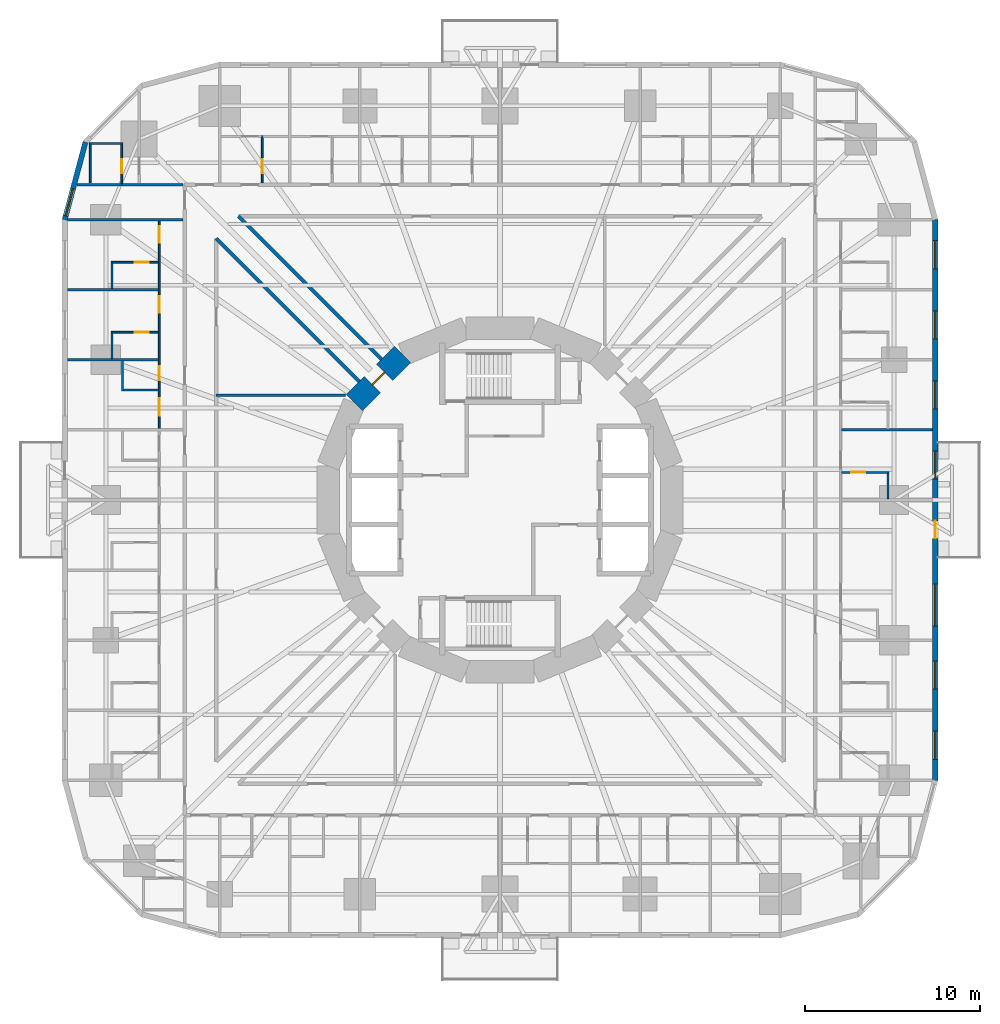
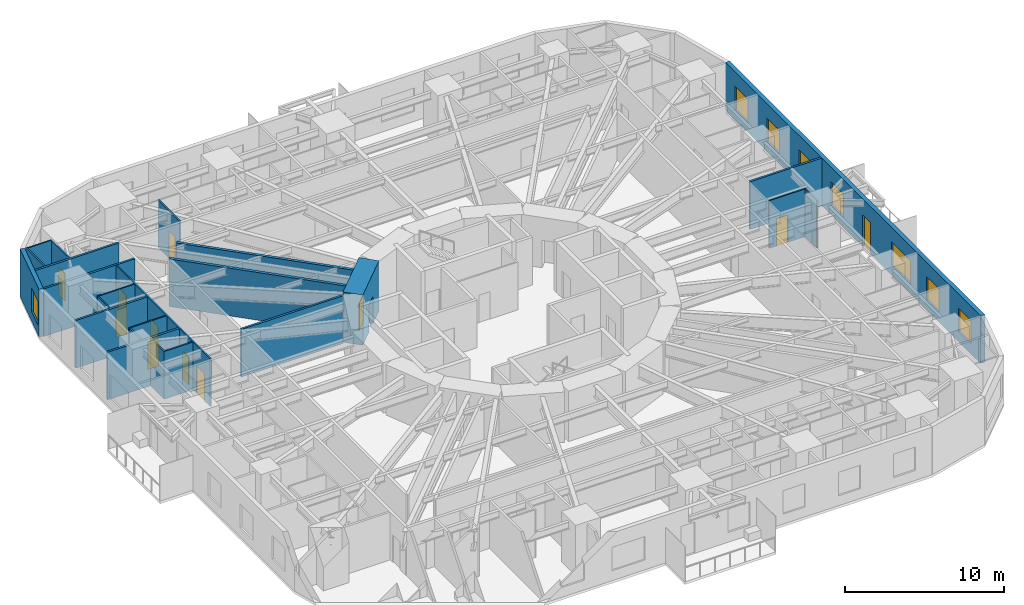
# One storey, part 9 of 14: 24 walls, 11 doors, 8 windows, 19 openings.
"""IFC4 building model written with IfcOpenShell, lengths in metres."""

from ifc_helpers import new_model, si_unit, direction, frame, frame_2d, origin, place, context, subcontext, project, spatial, rectangle, extrude, material, layer, layer_set, type_object, element, fill, save


model = new_model("IFC4")

# Units and contexts
model_context = context("Model", 3, precision=1e-05, world=origin(), true_north=direction((0.0, 1.0)))
body_context = subcontext(model_context, "Body", "Model", "MODEL_VIEW")
ifc_project = project(units=[si_unit("LENGTHUNIT", "METRE"), si_unit("AREAUNIT", "SQUARE_METRE"), si_unit("VOLUMEUNIT", "CUBIC_METRE"), si_unit("PLANEANGLEUNIT", "RADIAN"), si_unit("MASSUNIT", "GRAM", prefix="KILO")], contexts=[model_context])

# Site, building, storey
site_placement = place(None, origin())
site = spatial("IfcSite", under=ifc_project, at=site_placement, CompositionType="ELEMENT")
building_placement = place(site_placement, origin())
building = spatial("IfcBuilding", under=site, at=building_placement, Name="Nakasero Lantern House", CompositionType="ELEMENT")
storey_placement = place(building_placement, frame((0.0, 0.0, 19.85009765625)))
storey = spatial("IfcBuildingStorey", under=building, at=storey_placement, Name="L04", CompositionType="ELEMENT", Elevation=19.85009765625)

# Wall, openings, doors
ifc_material_1 = material(Name="Blockwork", Category="masonry")
ifc_layer_1 = layer(ifc_material_1, 0.10009765625)
ifc_layer_set_1 = layer_set([ifc_layer_1], Name="Cluster hall wall 100")
wall_type_1 = type_object("IfcWallType", Name="Cluster hall wall 100", PredefinedType="PARTITIONING", material=ifc_layer_set_1)
wall_1_placement = place(storey_placement, frame((-19.449951171875, 15.925048828125, 0.0), z_axis=(0.0, 0.0, 1.0), x_axis=(0.0, -1.0, 0.0)))
wall_1 = element("IfcWall", 1, at=wall_1_placement, inside=storey, type_object=wall_type_1, Name="Cluster hall wall L04 HW2-0", PredefinedType="PARTITIONING", context=body_context, shape_type="SweptSolid", body=[
    extrude(rectangle(XDim=11.85009765625, YDim=0.10009765625, at=frame_2d((5.925048828125, 0.0))), origin(), (0.0, 0.0, 1.0), 3.64990234375),
])
opening_1_placement = place(wall_1_placement, frame((10.125, 0.0, 0.0)))
opening_1 = element("IfcOpeningElement", 2, at=opening_1_placement, cuts=wall_1, Name="Opening D03", PredefinedType="OPENING", context=body_context, shape_type="SweptSolid", body=[
    extrude(rectangle(XDim=1.0, YDim=2.10009765625, at=frame_2d((0.5, 1.050048828125))), frame((0.0, 0.070068359375, 0.0), z_axis=(0.0, -1.0, 0.0), x_axis=(1.0, 0.0, 0.0)), (0.0, 0.0, 1.0), 0.14013671875),
])
opening_2_placement = place(wall_1_placement, frame((8.300048828125, 0.0, 0.0)))
opening_2 = element("IfcOpeningElement", 3, at=opening_2_placement, cuts=wall_1, Name="Opening D02", PredefinedType="OPENING", context=body_context, shape_type="SweptSolid", body=[
    extrude(rectangle(XDim=0.800048828125, YDim=2.10009765625, at=frame_2d((0.39990234375, 1.050048828125))), frame((0.0, 0.070068359375, 0.0), z_axis=(0.0, -1.0, 0.0), x_axis=(1.0, 0.0, 0.0)), (0.0, 0.0, 1.0), 0.14013671875),
])
opening_3_placement = place(wall_1_placement, frame((0.300048828125, 0.0, 0.0)))
opening_3 = element("IfcOpeningElement", 4, at=opening_3_placement, cuts=wall_1, Name="Opening D01", PredefinedType="OPENING", context=body_context, shape_type="SweptSolid", body=[
    extrude(rectangle(XDim=0.949951171875, YDim=2.10009765625, at=frame_2d((0.47509765625, 1.050048828125))), frame((0.0, 0.070068359375, 0.0), z_axis=(0.0, -1.0, 0.0), x_axis=(1.0, 0.0, 0.0)), (0.0, 0.0, 1.0), 0.14013671875),
])
opening_4_placement = place(wall_1_placement, frame((4.300048828125, 0.0, 0.0)))
opening_4 = element("IfcOpeningElement", 5, at=opening_4_placement, cuts=wall_1, Name="Opening D01", PredefinedType="OPENING", context=body_context, shape_type="SweptSolid", body=[
    extrude(rectangle(XDim=0.949951171875, YDim=2.10009765625, at=frame_2d((0.47509765625, 1.050048828125))), frame((0.0, 0.070068359375, 0.0), z_axis=(0.0, -1.0, 0.0), x_axis=(1.0, 0.0, 0.0)), (0.0, 0.0, 1.0), 0.14013671875),
])
ifc_material_2 = material(Name="Timber C24", Category="wood")
door_type_1 = type_object("IfcDoorType", Name="Bedroom door FD30S 950", OperationType="SINGLE_SWING_LEFT", PredefinedType="DOOR", material=ifc_material_2)
door_1_placement = place(opening_3_placement, origin())
door_1 = element("IfcDoor", 6, at=door_1_placement, inside=storey, type_object=door_type_1, Name="Door L04 D2-01", OperationType="SINGLE_SWING_LEFT", OverallHeight=2.10009765625, OverallWidth=0.949951171875, PredefinedType="DOOR", context=body_context, shape_type="SweptSolid", body=[
    extrude(rectangle(XDim=0.949951171875, YDim=2.10009765625, at=frame_2d((0.47509765625, 1.050048828125))), frame((0.0, 0.02490234375, 0.0), z_axis=(0.0, -1.0, 0.0), x_axis=(1.0, 0.0, 0.0)), (0.0, 0.0, 1.0), 0.050048828125),
])
fill(opening_3, door_1)
door_2_placement = place(opening_4_placement, origin())
door_2 = element("IfcDoor", 7, at=door_2_placement, inside=storey, type_object=door_type_1, Name="Door L04 D2-02", OperationType="SINGLE_SWING_LEFT", OverallHeight=2.10009765625, OverallWidth=0.949951171875, PredefinedType="DOOR", context=body_context, shape_type="SweptSolid", body=[
    extrude(rectangle(XDim=0.949951171875, YDim=2.10009765625, at=frame_2d((0.47509765625, 1.050048828125))), frame((0.0, 0.02490234375, 0.0), z_axis=(0.0, -1.0, 0.0), x_axis=(1.0, 0.0, 0.0)), (0.0, 0.0, 1.0), 0.050048828125),
])
fill(opening_4, door_2)
ifc_material_3 = material(Name="Timber C24", Category="wood")
door_type_2 = type_object("IfcDoorType", Name="En-suite door 800", OperationType="SINGLE_SWING_RIGHT", PredefinedType="DOOR", material=ifc_material_3)
door_3_placement = place(opening_2_placement, origin())
door_3 = element("IfcDoor", 8, at=door_3_placement, inside=storey, type_object=door_type_2, Name="Door L04 DSH2-0", OperationType="SINGLE_SWING_RIGHT", OverallHeight=2.10009765625, OverallWidth=0.800048828125, PredefinedType="DOOR", context=body_context, shape_type="SweptSolid", body=[
    extrude(rectangle(XDim=0.800048828125, YDim=2.10009765625, at=frame_2d((0.39990234375, 1.050048828125))), frame((0.0, 0.02490234375, 0.0), z_axis=(0.0, -1.0, 0.0), x_axis=(1.0, 0.0, 0.0)), (0.0, 0.0, 1.0), 0.050048828125),
])
fill(opening_2, door_3)
ifc_material_4 = material(Name="Timber C24", Category="wood")
door_type_3 = type_object("IfcDoorType", Name="Lounge door FD30S 1000", OperationType="SINGLE_SWING_LEFT", PredefinedType="DOOR", material=ifc_material_4)
door_4_placement = place(opening_1_placement, origin())
door_4 = element("IfcDoor", 9, at=door_4_placement, inside=storey, type_object=door_type_3, Name="Door L04 DH2-0", OperationType="SINGLE_SWING_RIGHT", OverallHeight=2.10009765625, OverallWidth=1.0, PredefinedType="DOOR", context=body_context, shape_type="SweptSolid", body=[
    extrude(rectangle(XDim=1.0, YDim=2.10009765625, at=frame_2d((0.5, 1.050048828125))), frame((0.0, 0.02490234375, 0.0), z_axis=(0.0, -1.0, 0.0), x_axis=(1.0, 0.0, 0.0)), (0.0, 0.0, 1.0), 0.050048828125),
])
fill(opening_1, door_4)

# Wall, opening, door
ifc_material_5 = material(Name="Concrete C50/60", Category="concrete")
ifc_layer_2 = layer(ifc_material_5, 1.300048828125)
ifc_layer_set_2 = layer_set([ifc_layer_2], Name="Core wall 1300")
wall_type_2 = type_object("IfcWallType", Name="Core wall 1300", PredefinedType="SHEAR", material=ifc_layer_set_2)
wall_2_placement = place(storey_placement, frame((-5.5556640625, 8.314697265625, 0.0), z_axis=(0.0, 0.0, 1.0), x_axis=(-0.707106781187, -0.707106781187, 0.0)))
wall_2 = element("IfcWall", 10, at=wall_2_placement, inside=storey, type_object=wall_type_2, Name="Core wall L04 facet 6", PredefinedType="SHEAR", context=body_context, shape_type="SweptSolid", body=[
    extrude(rectangle(XDim=3.90185546875, YDim=1.300048828125, at=frame_2d((1.950927734375, 0.0))), origin(), (0.0, 0.0, 1.0), 3.849853515625),
])
opening_5_placement = place(wall_2_placement, frame((1.450927734375, 0.0, 0.0)))
opening_5 = element("IfcOpeningElement", 11, at=opening_5_placement, cuts=wall_2, Name="Opening D05", PredefinedType="OPENING", context=body_context, shape_type="SweptSolid", body=[
    extrude(rectangle(XDim=1.0, YDim=2.10009765625, at=frame_2d((0.5, 1.050048828125))), frame((0.0, 0.669921875, 0.0), z_axis=(0.0, -1.0, 0.0), x_axis=(1.0, 0.0, 0.0)), (0.0, 0.0, 1.0), 1.340087890625),
])
ifc_material_6 = material(Name="Timber C24", Category="wood")
door_type_4 = type_object("IfcDoorType", Name="Core door FD60S 1000", OperationType="SINGLE_SWING_LEFT", PredefinedType="DOOR", material=ifc_material_6)
door_5_placement = place(opening_5_placement, origin())
door_5 = element("IfcDoor", 12, at=door_5_placement, inside=storey, type_object=door_type_4, Name="Door L04 D-CORE06", OperationType="SINGLE_SWING_LEFT", OverallHeight=2.10009765625, OverallWidth=1.0, PredefinedType="DOOR", context=body_context, shape_type="SweptSolid", body=[
    extrude(rectangle(XDim=1.0, YDim=2.10009765625, at=frame_2d((0.5, 1.050048828125))), frame((0.0, 0.02490234375, 0.0), z_axis=(0.0, -1.0, 0.0), x_axis=(1.0, 0.0, 0.0)), (0.0, 0.0, 1.0), 0.050048828125),
])
fill(opening_5, door_5)

# Walls
ifc_material_7 = material(Name="Blockwork", Category="masonry")
ifc_layer_3 = layer(ifc_material_7, 0.199951171875)
ifc_layer_set_3 = layer_set([ifc_layer_3], Name="Corridor wall 200")
wall_type_3 = type_object("IfcWallType", Name="Corridor wall 200", PredefinedType="PARTITIONING", material=ifc_layer_set_3)
for number, where, z_axis, x_axis, name in (
    (13, (-8.03125, 6.758544921875, 0.0), (0.0, 0.0, 1.0), (-0.707106781187, 0.707106781187, 0.0), "Corridor wall L04 PS06a"),
    (14, (-6.758544921875, 8.03125, 0.0), (0.0, 0.0, 1.0), (-0.707106781187, 0.707106781187, 0.0), "Corridor wall L04 PS06b"),
):
    element("IfcWall", number, at=place(storey_placement, frame(where, z_axis=z_axis, x_axis=x_axis)), inside=storey, type_object=wall_type_3, Name=name, PredefinedType="PARTITIONING", context=body_context, shape_type="SweptSolid", body=[
        extrude(rectangle(XDim=11.55224609375, YDim=0.199951171875, at=frame_2d((5.776123046875, 0.0))), origin(), (0.0, 0.0, 1.0), 3.64990234375),
    ])

# Wall, opening, door
ifc_material_8 = material(Name="Blockwork", Category="masonry")
ifc_layer_4 = layer(ifc_material_8, 0.10009765625)
ifc_layer_set_4 = layer_set([ifc_layer_4], Name="En-suite wall 100")
wall_type_4 = type_object("IfcWallType", Name="En-suite wall 100", PredefinedType="PARTITIONING", material=ifc_layer_set_4)
wall_3_placement = place(storey_placement, frame((19.5, 1.574951171875, 0.0), z_axis=(0.0, 0.0, 1.0), x_axis=(1.0, 0.0, 0.0)))
wall_3 = element("IfcWall", 15, at=wall_3_placement, inside=storey, type_object=wall_type_4, Name="En-suite wall L04 ES0-05", PredefinedType="PARTITIONING", context=body_context, shape_type="SweptSolid", body=[
    extrude(rectangle(XDim=2.699951171875, YDim=0.10009765625, at=frame_2d((1.35009765625, 0.0))), origin(), (0.0, 0.0, 1.0), 3.64990234375),
])
opening_6_placement = place(wall_3_placement, frame((0.550048828125, 0.0, 0.0)))
opening_6 = element("IfcOpeningElement", 16, at=opening_6_placement, cuts=wall_3, Name="Opening D02", PredefinedType="OPENING", context=body_context, shape_type="SweptSolid", body=[
    extrude(rectangle(XDim=0.800048828125, YDim=2.10009765625, at=frame_2d((0.39990234375, 1.050048828125))), frame((0.0, 0.070068359375, 0.0), z_axis=(0.0, -1.0, 0.0), x_axis=(1.0, 0.0, 0.0)), (0.0, 0.0, 1.0), 0.14013671875),
])
door_6_placement = place(opening_6_placement, origin())
door_6 = element("IfcDoor", 17, at=door_6_placement, inside=storey, type_object=door_type_2, Name="Door L04 DE0-05", OperationType="SINGLE_SWING_LEFT", OverallHeight=2.10009765625, OverallWidth=0.800048828125, PredefinedType="DOOR", context=body_context, shape_type="SweptSolid", body=[
    extrude(rectangle(XDim=0.800048828125, YDim=2.10009765625, at=frame_2d((0.39990234375, 1.050048828125))), frame((0.0, 0.02490234375, 0.0), z_axis=(0.0, -1.0, 0.0), x_axis=(1.0, 0.0, 0.0)), (0.0, 0.0, 1.0), 0.050048828125),
])
fill(opening_6, door_6)

# Wall
wall_4_placement = place(storey_placement, frame((22.14990234375, 0.074951171875, 0.0), z_axis=(0.0, 0.0, 1.0), x_axis=(0.0, 1.0, 0.0)))
element("IfcWall", 18, at=wall_4_placement, inside=storey, type_object=wall_type_4, Name="En-suite wall L04 EE0-05", PredefinedType="PARTITIONING", context=body_context, shape_type="SweptSolid", body=[
    extrude(rectangle(XDim=1.449951171875, YDim=0.10009765625, at=frame_2d((0.72509765625, 0.0))), origin(), (0.0, 0.0, 1.0), 3.64990234375),
])

# Wall, opening, door
wall_5_placement = place(storey_placement, frame((-13.574951171875, 18.10009765625, 0.0), z_axis=(0.0, 0.0, 1.0), x_axis=(0.0, 1.0, 0.0)))
wall_5 = element("IfcWall", 19, at=wall_5_placement, inside=storey, type_object=wall_type_4, Name="En-suite wall L04 ES1-08", PredefinedType="PARTITIONING", context=body_context, shape_type="SweptSolid", body=[
    extrude(rectangle(XDim=2.699951171875, YDim=0.10009765625, at=frame_2d((1.35009765625, 0.0))), origin(), (0.0, 0.0, 1.0), 3.64990234375),
])
opening_7_placement = place(wall_5_placement, frame((0.550048828125, 0.0, 0.0)))
opening_7 = element("IfcOpeningElement", 20, at=opening_7_placement, cuts=wall_5, Name="Opening D02", PredefinedType="OPENING", context=body_context, shape_type="SweptSolid", body=[
    extrude(rectangle(XDim=0.800048828125, YDim=2.10009765625, at=frame_2d((0.39990234375, 1.050048828125))), frame((0.0, 0.070068359375, 0.0), z_axis=(0.0, -1.0, 0.0), x_axis=(1.0, 0.0, 0.0)), (0.0, 0.0, 1.0), 0.14013671875),
])
door_7_placement = place(opening_7_placement, origin())
door_7 = element("IfcDoor", 21, at=door_7_placement, inside=storey, type_object=door_type_2, Name="Door L04 DE1-08", OperationType="SINGLE_SWING_LEFT", OverallHeight=2.10009765625, OverallWidth=0.800048828125, PredefinedType="DOOR", context=body_context, shape_type="SweptSolid", body=[
    extrude(rectangle(XDim=0.800048828125, YDim=2.10009765625, at=frame_2d((0.39990234375, 1.050048828125))), frame((0.0, 0.02490234375, 0.0), z_axis=(0.0, -1.0, 0.0), x_axis=(1.0, 0.0, 0.0)), (0.0, 0.0, 1.0), 0.050048828125),
])
fill(opening_7, door_7)

wall_6_placement = place(storey_placement, frame((-21.59619140625, 18.06494140625, 0.0), z_axis=(0.0, 0.0, 1.0), x_axis=(0.0, 1.0, 0.0)))
wall_6 = element("IfcWall", 22, at=wall_6_placement, inside=storey, type_object=wall_type_4, Name="En-suite wall L04 ES1-09", PredefinedType="PARTITIONING", context=body_context, shape_type="SweptSolid", body=[
    extrude(rectangle(XDim=2.3349609375, YDim=0.10009765625, at=frame_2d((1.16748046875, 0.0))), origin(), (0.0, 0.0, 1.0), 3.64990234375),
])
opening_8_placement = place(wall_6_placement, frame((0.5849609375, 0.0, 0.0)))
opening_8 = element("IfcOpeningElement", 23, at=opening_8_placement, cuts=wall_6, Name="Opening D02", PredefinedType="OPENING", context=body_context, shape_type="SweptSolid", body=[
    extrude(rectangle(XDim=0.800048828125, YDim=2.10009765625, at=frame_2d((0.39990234375, 1.050048828125))), frame((0.0, 0.070068359375, 0.0), z_axis=(0.0, -1.0, 0.0), x_axis=(1.0, 0.0, 0.0)), (0.0, 0.0, 1.0), 0.14013671875),
])
door_8_placement = place(opening_8_placement, origin())
door_8 = element("IfcDoor", 24, at=door_8_placement, inside=storey, type_object=door_type_2, Name="Door L04 DE1-09", OperationType="SINGLE_SWING_LEFT", OverallHeight=2.10009765625, OverallWidth=0.800048828125, PredefinedType="DOOR", context=body_context, shape_type="SweptSolid", body=[
    extrude(rectangle(XDim=0.800048828125, YDim=2.10009765625, at=frame_2d((0.39990234375, 1.050048828125))), frame((0.0, 0.02490234375, 0.0), z_axis=(0.0, -1.0, 0.0), x_axis=(1.0, 0.0, 0.0)), (0.0, 0.0, 1.0), 0.050048828125),
])
fill(opening_8, door_8)

# Walls
wall_7_placement = place(storey_placement, frame((-21.646240234375, 20.35009765625, 0.0), z_axis=(0.0, 0.0, 1.0), x_axis=(-1.0, 0.0, 0.0)))
element("IfcWall", 25, at=wall_7_placement, inside=storey, type_object=wall_type_4, Name="En-suite wall L04 EE1-09", PredefinedType="PARTITIONING", context=body_context, shape_type="SweptSolid", body=[
    extrude(rectangle(XDim=1.699951171875, YDim=0.10009765625, at=frame_2d((0.85009765625, 0.0))), origin(), (0.0, 0.0, 1.0), 3.64990234375),
])
wall_8_placement = place(storey_placement, frame((-23.396240234375, 18.10009765625, 0.0), z_axis=(0.0, 0.0, 1.0), x_axis=(0.0, 1.0, 0.0)))
element("IfcWall", 26, at=wall_8_placement, inside=storey, type_object=wall_type_4, Name="En-suite wall L04 EV1-09", PredefinedType="PARTITIONING", context=body_context, shape_type="SweptSolid", body=[
    extrude(rectangle(XDim=2.2998046875, YDim=0.10009765625, at=frame_2d((1.14990234375, 0.0))), origin(), (0.0, 0.0, 1.0), 3.64990234375),
])
wall_9_placement = place(storey_placement, frame((-19.5, 6.27490234375, 0.0), z_axis=(0.0, 0.0, 1.0), x_axis=(-1.0, 0.0, 0.0)))
element("IfcWall", 27, at=wall_9_placement, inside=storey, type_object=wall_type_4, Name="En-suite wall L04 SS2-0", PredefinedType="PARTITIONING", context=body_context, shape_type="SweptSolid", body=[
    extrude(rectangle(XDim=2.10009765625, YDim=0.10009765625, at=frame_2d((1.050048828125, 0.0))), origin(), (0.0, 0.0, 1.0), 3.64990234375),
])
wall_10_placement = place(storey_placement, frame((-21.550048828125, 7.925048828125, 0.0), z_axis=(0.0, 0.0, 1.0), x_axis=(0.0, -1.0, 0.0)))
element("IfcWall", 28, at=wall_10_placement, inside=storey, type_object=wall_type_4, Name="En-suite wall L04 SE2-0", PredefinedType="PARTITIONING", context=body_context, shape_type="SweptSolid", body=[
    extrude(rectangle(XDim=1.699951171875, YDim=0.10009765625, at=frame_2d((0.85009765625, 0.0))), origin(), (0.0, 0.0, 1.0), 3.64990234375),
])

# Wall, opening, door
wall_11_placement = place(storey_placement, frame((-19.5, 13.574951171875, 0.0), z_axis=(0.0, 0.0, 1.0), x_axis=(-1.0, 0.0, 0.0)))
wall_11 = element("IfcWall", 29, at=wall_11_placement, inside=storey, type_object=wall_type_4, Name="En-suite wall L04 ES2-01", PredefinedType="PARTITIONING", context=body_context, shape_type="SweptSolid", body=[
    extrude(rectangle(XDim=2.699951171875, YDim=0.10009765625, at=frame_2d((1.35009765625, 0.0))), origin(), (0.0, 0.0, 1.0), 3.64990234375),
])
opening_9_placement = place(wall_11_placement, frame((0.550048828125, 0.0, 0.0)))
opening_9 = element("IfcOpeningElement", 30, at=opening_9_placement, cuts=wall_11, Name="Opening D02", PredefinedType="OPENING", context=body_context, shape_type="SweptSolid", body=[
    extrude(rectangle(XDim=0.800048828125, YDim=2.10009765625, at=frame_2d((0.39990234375, 1.050048828125))), frame((0.0, 0.070068359375, 0.0), z_axis=(0.0, -1.0, 0.0), x_axis=(1.0, 0.0, 0.0)), (0.0, 0.0, 1.0), 0.14013671875),
])
door_9_placement = place(opening_9_placement, origin())
door_9 = element("IfcDoor", 31, at=door_9_placement, inside=storey, type_object=door_type_2, Name="Door L04 DE2-01", OperationType="SINGLE_SWING_LEFT", OverallHeight=2.10009765625, OverallWidth=0.800048828125, PredefinedType="DOOR", context=body_context, shape_type="SweptSolid", body=[
    extrude(rectangle(XDim=0.800048828125, YDim=2.10009765625, at=frame_2d((0.39990234375, 1.050048828125))), frame((0.0, 0.02490234375, 0.0), z_axis=(0.0, -1.0, 0.0), x_axis=(1.0, 0.0, 0.0)), (0.0, 0.0, 1.0), 0.050048828125),
])
fill(opening_9, door_9)

# Wall
wall_12_placement = place(storey_placement, frame((-22.14990234375, 13.52490234375, 0.0), z_axis=(0.0, 0.0, 1.0), x_axis=(0.0, -1.0, 0.0)))
element("IfcWall", 32, at=wall_12_placement, inside=storey, type_object=wall_type_4, Name="En-suite wall L04 EE2-01", PredefinedType="PARTITIONING", context=body_context, shape_type="SweptSolid", body=[
    extrude(rectangle(XDim=1.449951171875, YDim=0.10009765625, at=frame_2d((0.72509765625, 0.0))), origin(), (0.0, 0.0, 1.0), 3.64990234375),
])

# Wall, opening, door
wall_13_placement = place(storey_placement, frame((-19.5, 9.574951171875, 0.0), z_axis=(0.0, 0.0, 1.0), x_axis=(-1.0, 0.0, 0.0)))
wall_13 = element("IfcWall", 33, at=wall_13_placement, inside=storey, type_object=wall_type_4, Name="En-suite wall L04 ES2-02", PredefinedType="PARTITIONING", context=body_context, shape_type="SweptSolid", body=[
    extrude(rectangle(XDim=2.699951171875, YDim=0.10009765625, at=frame_2d((1.35009765625, 0.0))), origin(), (0.0, 0.0, 1.0), 3.64990234375),
])
opening_10_placement = place(wall_13_placement, frame((0.550048828125, 0.0, 0.0)))
opening_10 = element("IfcOpeningElement", 34, at=opening_10_placement, cuts=wall_13, Name="Opening D02", PredefinedType="OPENING", context=body_context, shape_type="SweptSolid", body=[
    extrude(rectangle(XDim=0.800048828125, YDim=2.10009765625, at=frame_2d((0.39990234375, 1.050048828125))), frame((0.0, 0.070068359375, 0.0), z_axis=(0.0, -1.0, 0.0), x_axis=(1.0, 0.0, 0.0)), (0.0, 0.0, 1.0), 0.14013671875),
])
door_10_placement = place(opening_10_placement, origin())
door_10 = element("IfcDoor", 35, at=door_10_placement, inside=storey, type_object=door_type_2, Name="Door L04 DE2-02", OperationType="SINGLE_SWING_LEFT", OverallHeight=2.10009765625, OverallWidth=0.800048828125, PredefinedType="DOOR", context=body_context, shape_type="SweptSolid", body=[
    extrude(rectangle(XDim=0.800048828125, YDim=2.10009765625, at=frame_2d((0.39990234375, 1.050048828125))), frame((0.0, 0.02490234375, 0.0), z_axis=(0.0, -1.0, 0.0), x_axis=(1.0, 0.0, 0.0)), (0.0, 0.0, 1.0), 0.050048828125),
])
fill(opening_10, door_10)

# Wall
wall_14_placement = place(storey_placement, frame((-22.14990234375, 9.52490234375, 0.0), z_axis=(0.0, 0.0, 1.0), x_axis=(0.0, -1.0, 0.0)))
element("IfcWall", 36, at=wall_14_placement, inside=storey, type_object=wall_type_4, Name="En-suite wall L04 EE2-02", PredefinedType="PARTITIONING", context=body_context, shape_type="SweptSolid", body=[
    extrude(rectangle(XDim=1.449951171875, YDim=0.10009765625, at=frame_2d((0.72509765625, 0.0))), origin(), (0.0, 0.0, 1.0), 3.64990234375),
])

# Wall, openings, door, windows
ifc_material_9 = material(Name="Aluminium rainscreen on blockwork", Category="masonry")
ifc_layer_5 = layer(ifc_material_9, 0.300048828125)
ifc_layer_set_5 = layer_set([ifc_layer_5], Name="Facade wall 300")
wall_type_5 = type_object("IfcWallType", Name="Facade wall 300", PredefinedType="SOLIDWALL", material=ifc_layer_set_5)
wall_15_placement = place(storey_placement, frame((24.85009765625, -16.0, 0.0), z_axis=(0.0, 0.0, 1.0), x_axis=(0.0, 1.0, 0.0)))
wall_15 = element("IfcWall", 37, at=wall_15_placement, inside=storey, type_object=wall_type_5, Name="Facade wall L04 FW0S", PredefinedType="SOLIDWALL", context=body_context, shape_type="SweptSolid", body=[
    extrude(rectangle(XDim=32.0, YDim=0.300048828125, at=frame_2d((16.0, 0.0))), origin(), (0.0, 0.0, 1.0), 3.64990234375),
])
opening_11_placement = place(wall_15_placement, frame((1.199951171875, 0.0, 0.75)))
opening_11 = element("IfcOpeningElement", 38, at=opening_11_placement, cuts=wall_15, Name="Opening W01", PredefinedType="OPENING", context=body_context, shape_type="SweptSolid", body=[
    extrude(rectangle(XDim=1.60009765625, YDim=1.800048828125, at=frame_2d((0.800048828125, 0.89990234375))), frame((0.0, 0.169921875, 0.0), z_axis=(0.0, -1.0, 0.0), x_axis=(1.0, 0.0, 0.0)), (0.0, 0.0, 1.0), 0.340087890625),
])
opening_12_placement = place(wall_15_placement, frame((5.199951171875, 0.0, 0.75)))
opening_12 = element("IfcOpeningElement", 39, at=opening_12_placement, cuts=wall_15, Name="Opening W01", PredefinedType="OPENING", context=body_context, shape_type="SweptSolid", body=[
    extrude(rectangle(XDim=1.60009765625, YDim=1.800048828125, at=frame_2d((0.800048828125, 0.89990234375))), frame((0.0, 0.169921875, 0.0), z_axis=(0.0, -1.0, 0.0), x_axis=(1.0, 0.0, 0.0)), (0.0, 0.0, 1.0), 0.340087890625),
])
opening_13_placement = place(wall_15_placement, frame((17.199951171875, 0.0, 0.75)))
opening_13 = element("IfcOpeningElement", 40, at=opening_13_placement, cuts=wall_15, Name="Opening W01", PredefinedType="OPENING", context=body_context, shape_type="SweptSolid", body=[
    extrude(rectangle(XDim=1.60009765625, YDim=1.800048828125, at=frame_2d((0.800048828125, 0.89990234375))), frame((0.0, 0.169921875, 0.0), z_axis=(0.0, -1.0, 0.0), x_axis=(1.0, 0.0, 0.0)), (0.0, 0.0, 1.0), 0.340087890625),
])
opening_14_placement = place(wall_15_placement, frame((21.199951171875, 0.0, 0.75)))
opening_14 = element("IfcOpeningElement", 41, at=opening_14_placement, cuts=wall_15, Name="Opening W01", PredefinedType="OPENING", context=body_context, shape_type="SweptSolid", body=[
    extrude(rectangle(XDim=1.60009765625, YDim=1.800048828125, at=frame_2d((0.800048828125, 0.89990234375))), frame((0.0, 0.169921875, 0.0), z_axis=(0.0, -1.0, 0.0), x_axis=(1.0, 0.0, 0.0)), (0.0, 0.0, 1.0), 0.340087890625),
])
opening_15_placement = place(wall_15_placement, frame((25.199951171875, 0.0, 0.75)))
opening_15 = element("IfcOpeningElement", 42, at=opening_15_placement, cuts=wall_15, Name="Opening W01", PredefinedType="OPENING", context=body_context, shape_type="SweptSolid", body=[
    extrude(rectangle(XDim=1.60009765625, YDim=1.800048828125, at=frame_2d((0.800048828125, 0.89990234375))), frame((0.0, 0.169921875, 0.0), z_axis=(0.0, -1.0, 0.0), x_axis=(1.0, 0.0, 0.0)), (0.0, 0.0, 1.0), 0.340087890625),
])
opening_16_placement = place(wall_15_placement, frame((29.199951171875, 0.0, 0.75)))
opening_16 = element("IfcOpeningElement", 43, at=opening_16_placement, cuts=wall_15, Name="Opening W01", PredefinedType="OPENING", context=body_context, shape_type="SweptSolid", body=[
    extrude(rectangle(XDim=1.60009765625, YDim=1.800048828125, at=frame_2d((0.800048828125, 0.89990234375))), frame((0.0, 0.169921875, 0.0), z_axis=(0.0, -1.0, 0.0), x_axis=(1.0, 0.0, 0.0)), (0.0, 0.0, 1.0), 0.340087890625),
])
opening_17_placement = place(wall_15_placement, frame((8.800048828125, 0.0, 0.75)))
opening_17 = element("IfcOpeningElement", 44, at=opening_17_placement, cuts=wall_15, Name="Opening W03", PredefinedType="OPENING", context=body_context, shape_type="SweptSolid", body=[
    extrude(rectangle(XDim=2.39990234375, YDim=1.800048828125, at=frame_2d((1.199951171875, 0.89990234375))), frame((0.0, 0.169921875, 0.0), z_axis=(0.0, -1.0, 0.0), x_axis=(1.0, 0.0, 0.0)), (0.0, 0.0, 1.0), 0.340087890625),
])
opening_18_placement = place(wall_15_placement, frame((13.8125, 0.0, 0.0)))
opening_18 = element("IfcOpeningElement", 45, at=opening_18_placement, cuts=wall_15, Name="Opening D04", PredefinedType="OPENING", context=body_context, shape_type="SweptSolid", body=[
    extrude(rectangle(XDim=1.0, YDim=2.39990234375, at=frame_2d((0.5, 1.199951171875))), frame((0.0, 0.169921875, 0.0), z_axis=(0.0, -1.0, 0.0), x_axis=(1.0, 0.0, 0.0)), (0.0, 0.0, 1.0), 0.340087890625),
])
ifc_material_10 = material(Name="Aluminium 6063-T6 and glass", Category="aluminium")
door_type_5 = type_object("IfcDoorType", Name="Balcony door 1000x2400", OperationType="SINGLE_SWING_RIGHT", PredefinedType="DOOR", material=ifc_material_10)
door_11_placement = place(opening_18_placement, origin())
door_11 = element("IfcDoor", 46, at=door_11_placement, inside=storey, type_object=door_type_5, Name="Balcony door L04 DB0", OperationType="SINGLE_SWING_RIGHT", OverallHeight=2.39990234375, OverallWidth=1.0, PredefinedType="DOOR", context=body_context, shape_type="SweptSolid", body=[
    extrude(rectangle(XDim=1.0, YDim=2.39990234375, at=frame_2d((0.5, 1.199951171875))), frame((0.0, 0.02490234375, 0.0), z_axis=(0.0, -1.0, 0.0), x_axis=(1.0, 0.0, 0.0)), (0.0, 0.0, 1.0), 0.050048828125),
])
fill(opening_18, door_11)
ifc_material_11 = material(Name="Aluminium 6063-T6 and glass", Category="aluminium")
window_type_1 = type_object("IfcWindowType", Name="Bedroom window 1600x1800", PartitioningType="SINGLE_PANEL", PredefinedType="WINDOW", material=ifc_material_11)
window_1_placement = place(opening_11_placement, origin())
window_1 = element("IfcWindow", 47, at=window_1_placement, inside=storey, type_object=window_type_1, Name="Window L04 WN0-01", OverallHeight=1.800048828125, OverallWidth=1.60009765625, PartitioningType="SINGLE_PANEL", PredefinedType="WINDOW", context=body_context, shape_type="SweptSolid", body=[
    extrude(rectangle(XDim=1.60009765625, YDim=1.800048828125, at=frame_2d((0.800048828125, 0.89990234375))), frame((0.0, 0.030029296875, 0.0), z_axis=(0.0, -1.0, 0.0), x_axis=(1.0, 0.0, 0.0)), (0.0, 0.0, 1.0), 0.06005859375),
])
fill(opening_11, window_1)
window_2_placement = place(opening_12_placement, origin())
window_2 = element("IfcWindow", 48, at=window_2_placement, inside=storey, type_object=window_type_1, Name="Window L04 WN0-02", OverallHeight=1.800048828125, OverallWidth=1.60009765625, PartitioningType="SINGLE_PANEL", PredefinedType="WINDOW", context=body_context, shape_type="SweptSolid", body=[
    extrude(rectangle(XDim=1.60009765625, YDim=1.800048828125, at=frame_2d((0.800048828125, 0.89990234375))), frame((0.0, 0.030029296875, 0.0), z_axis=(0.0, -1.0, 0.0), x_axis=(1.0, 0.0, 0.0)), (0.0, 0.0, 1.0), 0.06005859375),
])
fill(opening_12, window_2)
window_3_placement = place(opening_13_placement, origin())
window_3 = element("IfcWindow", 49, at=window_3_placement, inside=storey, type_object=window_type_1, Name="Window L04 WN0-05", OverallHeight=1.800048828125, OverallWidth=1.60009765625, PartitioningType="SINGLE_PANEL", PredefinedType="WINDOW", context=body_context, shape_type="SweptSolid", body=[
    extrude(rectangle(XDim=1.60009765625, YDim=1.800048828125, at=frame_2d((0.800048828125, 0.89990234375))), frame((0.0, 0.030029296875, 0.0), z_axis=(0.0, -1.0, 0.0), x_axis=(1.0, 0.0, 0.0)), (0.0, 0.0, 1.0), 0.06005859375),
])
fill(opening_13, window_3)
window_4_placement = place(opening_14_placement, origin())
window_4 = element("IfcWindow", 50, at=window_4_placement, inside=storey, type_object=window_type_1, Name="Window L04 WN0-06", OverallHeight=1.800048828125, OverallWidth=1.60009765625, PartitioningType="SINGLE_PANEL", PredefinedType="WINDOW", context=body_context, shape_type="SweptSolid", body=[
    extrude(rectangle(XDim=1.60009765625, YDim=1.800048828125, at=frame_2d((0.800048828125, 0.89990234375))), frame((0.0, 0.030029296875, 0.0), z_axis=(0.0, -1.0, 0.0), x_axis=(1.0, 0.0, 0.0)), (0.0, 0.0, 1.0), 0.06005859375),
])
fill(opening_14, window_4)
window_5_placement = place(opening_15_placement, origin())
window_5 = element("IfcWindow", 51, at=window_5_placement, inside=storey, type_object=window_type_1, Name="Window L04 WN0-07", OverallHeight=1.800048828125, OverallWidth=1.60009765625, PartitioningType="SINGLE_PANEL", PredefinedType="WINDOW", context=body_context, shape_type="SweptSolid", body=[
    extrude(rectangle(XDim=1.60009765625, YDim=1.800048828125, at=frame_2d((0.800048828125, 0.89990234375))), frame((0.0, 0.030029296875, 0.0), z_axis=(0.0, -1.0, 0.0), x_axis=(1.0, 0.0, 0.0)), (0.0, 0.0, 1.0), 0.06005859375),
])
fill(opening_15, window_5)
window_6_placement = place(opening_16_placement, origin())
window_6 = element("IfcWindow", 52, at=window_6_placement, inside=storey, type_object=window_type_1, Name="Window L04 WN0-08", OverallHeight=1.800048828125, OverallWidth=1.60009765625, PartitioningType="SINGLE_PANEL", PredefinedType="WINDOW", context=body_context, shape_type="SweptSolid", body=[
    extrude(rectangle(XDim=1.60009765625, YDim=1.800048828125, at=frame_2d((0.800048828125, 0.89990234375))), frame((0.0, 0.030029296875, 0.0), z_axis=(0.0, -1.0, 0.0), x_axis=(1.0, 0.0, 0.0)), (0.0, 0.0, 1.0), 0.06005859375),
])
fill(opening_16, window_6)
ifc_material_12 = material(Name="Aluminium 6063-T6 and glass", Category="aluminium")
window_type_2 = type_object("IfcWindowType", Name="Lounge window 2400x1800", PartitioningType="SINGLE_PANEL", PredefinedType="WINDOW", material=ifc_material_12)
window_7_placement = place(opening_17_placement, origin())
window_7 = element("IfcWindow", 53, at=window_7_placement, inside=storey, type_object=window_type_2, Name="Window L04 WK0", OverallHeight=1.800048828125, OverallWidth=2.39990234375, PartitioningType="SINGLE_PANEL", PredefinedType="WINDOW", context=body_context, shape_type="SweptSolid", body=[
    extrude(rectangle(XDim=2.39990234375, YDim=1.800048828125, at=frame_2d((1.199951171875, 0.89990234375))), frame((0.0, 0.030029296875, 0.0), z_axis=(0.0, -1.0, 0.0), x_axis=(1.0, 0.0, 0.0)), (0.0, 0.0, 1.0), 0.06005859375),
])
fill(opening_17, window_7)

# Wall, opening, window
wall_16_placement = place(storey_placement, frame((-23.664306640625, 20.425048828125, 0.0), z_axis=(0.0, 0.0, 1.0), x_axis=(-0.258839972501, -0.965920218567, 0.0)))
wall_16 = element("IfcWall", 54, at=wall_16_placement, inside=storey, type_object=wall_type_5, Name="Facade wall L04 FW1C3", PredefinedType="SOLIDWALL", context=body_context, shape_type="SweptSolid", body=[
    extrude(rectangle(XDim=4.5810546875, YDim=0.300048828125, at=frame_2d((2.29052734375, 0.0))), origin(), (0.0, 0.0, 1.0), 3.64990234375),
])
opening_19_placement = place(wall_16_placement, frame((2.74609375, 0.0, 0.75)))
opening_19 = element("IfcOpeningElement", 55, at=opening_19_placement, cuts=wall_16, Name="Opening W01", PredefinedType="OPENING", context=body_context, shape_type="SweptSolid", body=[
    extrude(rectangle(XDim=1.60009765625, YDim=1.800048828125, at=frame_2d((0.800048828125, 0.89990234375))), frame((0.0, 0.169921875, 0.0), z_axis=(0.0, -1.0, 0.0), x_axis=(1.0, 0.0, 0.0)), (0.0, 0.0, 1.0), 0.340087890625),
])
window_8_placement = place(opening_19_placement, origin())
window_8 = element("IfcWindow", 56, at=window_8_placement, inside=storey, type_object=window_type_1, Name="Window L04 WN2-00", OverallHeight=1.800048828125, OverallWidth=1.60009765625, PartitioningType="SINGLE_PANEL", PredefinedType="WINDOW", context=body_context, shape_type="SweptSolid", body=[
    extrude(rectangle(XDim=1.60009765625, YDim=1.800048828125, at=frame_2d((0.800048828125, 0.89990234375))), frame((0.0, 0.030029296875, 0.0), z_axis=(0.0, -1.0, 0.0), x_axis=(1.0, 0.0, 0.0)), (0.0, 0.0, 1.0), 0.06005859375),
])
fill(opening_19, window_8)

# Walls
ifc_material_13 = material(Name="Blockwork", Category="masonry")
ifc_layer_6 = layer(ifc_material_13, 0.14990234375)
ifc_layer_set_6 = layer_set([ifc_layer_6], Name="Party wall 150")
wall_type_6 = type_object("IfcWallType", Name="Party wall 150", PredefinedType="PARTITIONING", material=ifc_layer_set_6)
wall_17_placement = place(storey_placement, frame((19.5, 4.0, 0.0), z_axis=(0.0, 0.0, 1.0), x_axis=(1.0, 0.0, 0.0)))
element("IfcWall", 57, at=wall_17_placement, inside=storey, type_object=wall_type_6, Name="Party wall L04 PW0-06", PredefinedType="PARTITIONING", context=body_context, shape_type="SweptSolid", body=[
    extrude(rectangle(XDim=5.199951171875, YDim=0.14990234375, at=frame_2d((2.60009765625, 0.0))), origin(), (0.0, 0.0, 1.0), 3.64990234375),
])
wall_18_placement = place(storey_placement, frame((-18.10009765625, 18.0, 0.0), z_axis=(0.0, 0.0, 1.0), x_axis=(-1.0, 0.0, 0.0)))
element("IfcWall", 58, at=wall_18_placement, inside=storey, type_object=wall_type_6, Name="Party wall L04 PW2-00", PredefinedType="PARTITIONING", context=body_context, shape_type="SweptSolid", body=[
    extrude(rectangle(XDim=6.053466796875, YDim=0.14990234375, at=frame_2d((3.02685546875, 0.0))), origin(), (0.0, 0.0, 1.0), 3.64990234375),
])
wall_19_placement = place(storey_placement, frame((-18.10009765625, 16.0, 0.0), z_axis=(0.0, 0.0, 1.0), x_axis=(-1.0, 0.0, 0.0)))
element("IfcWall", 59, at=wall_19_placement, inside=storey, type_object=wall_type_6, Name="Party wall L04 PW2-01", PredefinedType="PARTITIONING", context=body_context, shape_type="SweptSolid", body=[
    extrude(rectangle(XDim=6.58935546875, YDim=0.14990234375, at=frame_2d((3.294677734375, 0.0))), origin(), (0.0, 0.0, 1.0), 3.64990234375),
])
for number, where, z_axis, x_axis, name in (
    (60, (-19.5, 12.0, 0.0), (0.0, 0.0, 1.0), (-1.0, 0.0, 0.0), "Party wall L04 PW2-02"),
    (61, (-19.5, 8.0, 0.0), (0.0, 0.0, 1.0), (-1.0, 0.0, 0.0), "Party wall L04 PW2-03"),
):
    element("IfcWall", number, at=place(storey_placement, frame(where, z_axis=z_axis, x_axis=x_axis)), inside=storey, type_object=wall_type_6, Name=name, PredefinedType="PARTITIONING", context=body_context, shape_type="SweptSolid", body=[
        extrude(rectangle(XDim=5.199951171875, YDim=0.14990234375, at=frame_2d((2.60009765625, 0.0))), origin(), (0.0, 0.0, 1.0), 3.64990234375),
    ])
wall_20_placement = place(storey_placement, frame((-8.81884765625, 5.970947265625, 0.0), z_axis=(0.0, 0.0, 1.0), x_axis=(-1.0, 0.0, 0.0)))
element("IfcWall", 62, at=wall_20_placement, inside=storey, type_object=wall_type_6, Name="Party wall L04 IS4", PredefinedType="PARTITIONING", context=body_context, shape_type="SweptSolid", body=[
    extrude(rectangle(XDim=7.381103515625, YDim=0.14990234375, at=frame_2d((3.6904296875, 0.0))), origin(), (0.0, 0.0, 1.0), 3.64990234375),
])

save(model, "model.ifc")
